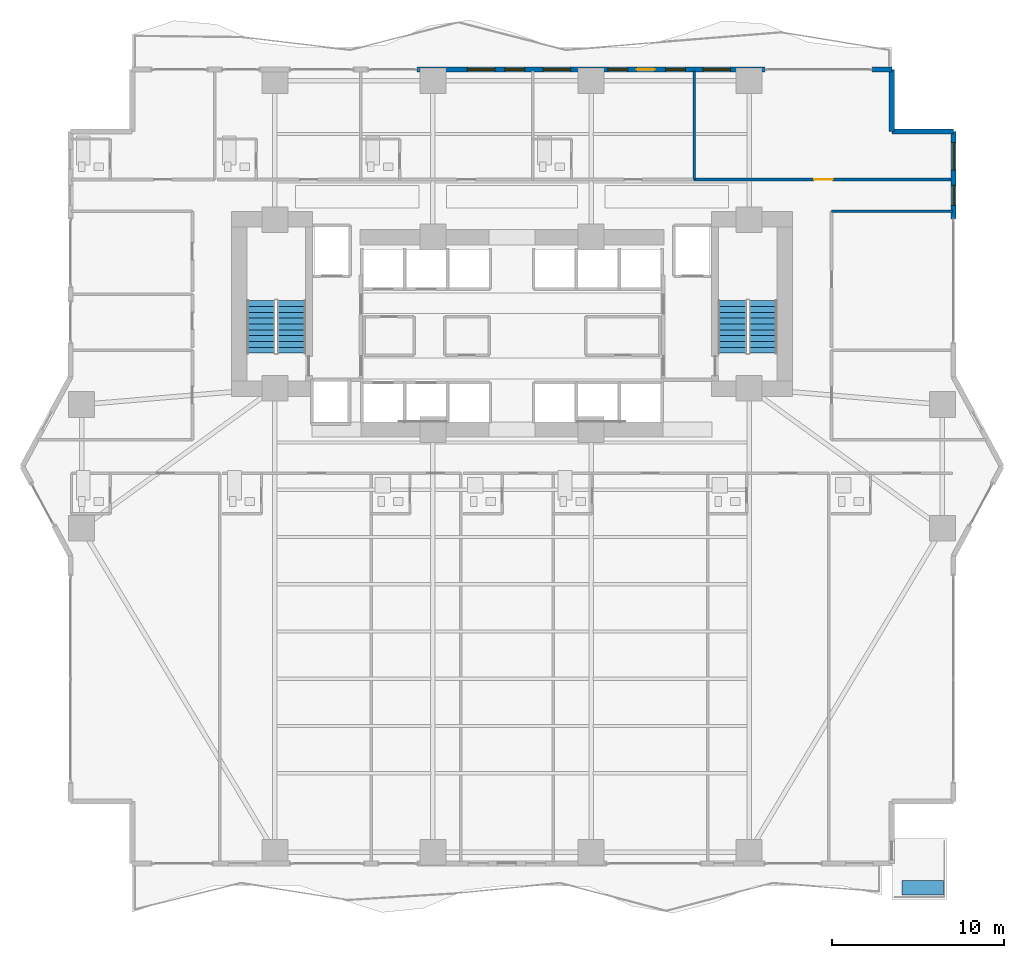
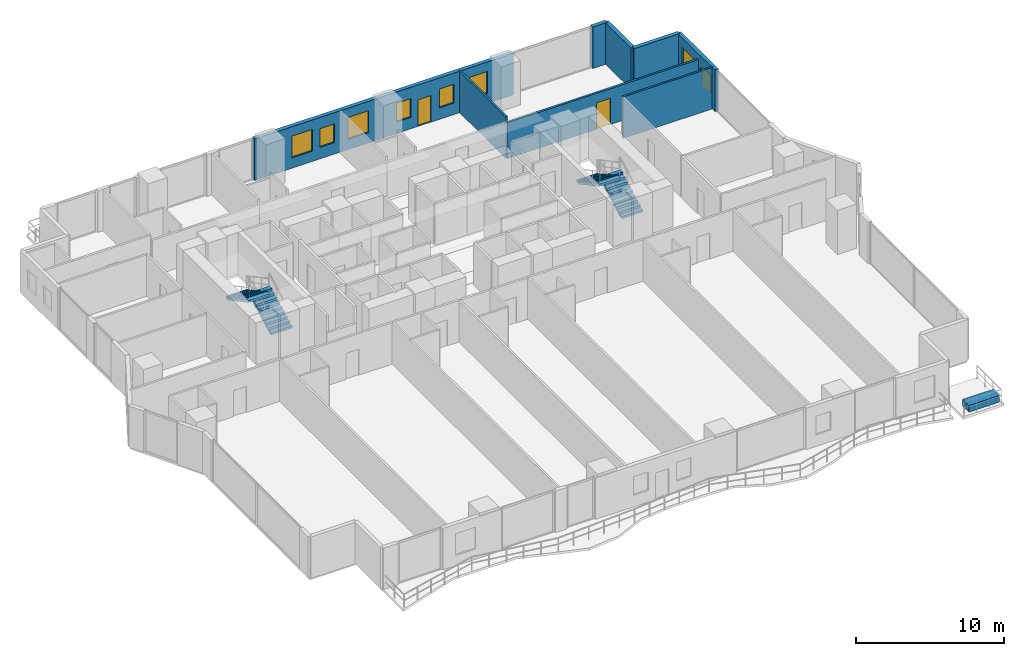
# One storey, part 22 of 29: 8 walls, 8 windows, 4 stair flights, 2 doors, 1 building element part, 10 openings, 2 elements without a shape of their own.
"""IFC4 building model written with IfcOpenShell, lengths in metres."""

from ifc_helpers import new_model, si_unit, direction, frame, frame_2d, origin, origin_2d, place, context, subcontext, project, spatial, polyline, rectangle, outline, extrude, material, layer, layer_set, type_object, element, fill, aggregate, save


model = new_model("IFC4")

# Units and contexts
model_context = context("Model", 3, precision=1e-05, world=origin(), true_north=direction((0.0, 1.0)))
body_context = subcontext(model_context, "Body", "Model", "MODEL_VIEW")
ifc_project = project(units=[si_unit("LENGTHUNIT", "METRE"), si_unit("AREAUNIT", "SQUARE_METRE"), si_unit("VOLUMEUNIT", "CUBIC_METRE"), si_unit("PLANEANGLEUNIT", "RADIAN"), si_unit("MASSUNIT", "GRAM", prefix="KILO")], contexts=[model_context])

# Site, building, storey
site_placement = place(None, origin())
site = spatial("IfcSite", under=ifc_project, at=site_placement, CompositionType="ELEMENT")
building_placement = place(site_placement, origin())
building = spatial("IfcBuilding", under=site, at=building_placement, Name="Zuhayl Quay Hotel", CompositionType="ELEMENT")
storey_placement = place(building_placement, frame((0.0, 0.0, 42.199951171875)))
storey = spatial("IfcBuildingStorey", under=building, at=storey_placement, Name="L09", CompositionType="ELEMENT", Elevation=42.199951171875)

# Wall, openings, door, windows
ifc_material_1 = material(Name="Precast concrete C45/55", Category="concrete")
ifc_layer_1 = layer(ifc_material_1, 0.300048828125, Name="Precast concrete C45/55", Category="concrete")
ifc_layer_set_1 = layer_set([ifc_layer_1], Name="Precast concrete C45/55")
wall_type_1 = type_object("IfcWallType", Name="WL_EXT_300", PredefinedType="STANDARD", material=ifc_layer_set_1)
wall_1_placement = place(storey_placement, frame((-5.52001953125, 23.10009765625, 0.0), z_axis=(0.0, 0.0, 1.0), x_axis=(1.0, 0.0, 0.0)))
wall_1 = element("IfcWall", 1, at=wall_1_placement, inside=storey, type_object=wall_type_1, Name="L09 Exterior Precast Wall ENV_L09_N_EW5", PredefinedType="STANDARD", context=body_context, shape_type="SweptSolid", body=[
    extrude(rectangle(XDim=20.239990234375, YDim=0.300048828125, at=frame_2d((10.1201171875, 0.0))), origin(), (0.0, 0.0, 1.0), 3.429931640625),
])
opening_1_placement = place(wall_1_placement, frame((12.77490234375, 0.0, 0.0)))
opening_1 = element("IfcOpeningElement", 2, at=opening_1_placement, cuts=wall_1, Name="Opening DG1", PredefinedType="OPENING", context=body_context, shape_type="SweptSolid", body=[
    extrude(rectangle(XDim=1.050048828125, YDim=2.199951171875, at=frame_2d((0.52490234375, 1.10009765625))), frame((0.0, 0.159912109375, 0.0), z_axis=(0.0, -1.0, 0.0), x_axis=(1.0, 0.0, 0.0)), (0.0, 0.0, 1.0), 0.320068359375),
])
opening_2_placement = place(wall_1_placement, frame((2.919921875, 0.0, 0.85009765625)))
opening_2 = element("IfcOpeningElement", 3, at=opening_2_placement, cuts=wall_1, Name="Opening W01", PredefinedType="OPENING", context=body_context, shape_type="SweptSolid", body=[
    extrude(rectangle(XDim=1.60009765625, YDim=1.800048828125, at=frame_2d((0.800048828125, 0.89990234375))), frame((0.0, 0.159912109375, 0.0), z_axis=(0.0, -1.0, 0.0), x_axis=(1.0, 0.0, 0.0)), (0.0, 0.0, 1.0), 0.320068359375),
])
opening_3_placement = place(wall_1_placement, frame((5.110107421875, 0.0, 0.949951171875)))
opening_3 = element("IfcOpeningElement", 4, at=opening_3_placement, cuts=wall_1, Name="Opening W01N", PredefinedType="OPENING", context=body_context, shape_type="SweptSolid", body=[
    extrude(rectangle(XDim=1.14990234375, YDim=1.550048828125, at=frame_2d((0.574951171875, 0.77490234375))), frame((0.0, 0.159912109375, 0.0), z_axis=(0.0, -1.0, 0.0), x_axis=(1.0, 0.0, 0.0)), (0.0, 0.0, 1.0), 0.320068359375),
])
opening_4_placement = place(wall_1_placement, frame((7.330078125, 0.0, 0.85009765625)))
opening_4 = element("IfcOpeningElement", 5, at=opening_4_placement, cuts=wall_1, Name="Opening W01", PredefinedType="OPENING", context=body_context, shape_type="SweptSolid", body=[
    extrude(rectangle(XDim=1.60009765625, YDim=1.800048828125, at=frame_2d((0.800048828125, 0.89990234375))), frame((0.0, 0.159912109375, 0.0), z_axis=(0.0, -1.0, 0.0), x_axis=(1.0, 0.0, 0.0)), (0.0, 0.0, 1.0), 0.320068359375),
])
opening_5_placement = place(wall_1_placement, frame((11.097412109375, 0.0, 0.949951171875)))
opening_5 = element("IfcOpeningElement", 6, at=opening_5_placement, cuts=wall_1, Name="Opening W01N", PredefinedType="OPENING", context=body_context, shape_type="SweptSolid", body=[
    extrude(rectangle(XDim=1.14990234375, YDim=1.550048828125, at=frame_2d((0.574951171875, 0.77490234375))), frame((0.0, 0.159912109375, 0.0), z_axis=(0.0, -1.0, 0.0), x_axis=(1.0, 0.0, 0.0)), (0.0, 0.0, 1.0), 0.320068359375),
])
opening_6_placement = place(wall_1_placement, frame((14.46240234375, 0.0, 0.949951171875)))
opening_6 = element("IfcOpeningElement", 7, at=opening_6_placement, cuts=wall_1, Name="Opening W01N", PredefinedType="OPENING", context=body_context, shape_type="SweptSolid", body=[
    extrude(rectangle(XDim=1.14990234375, YDim=1.550048828125, at=frame_2d((0.574951171875, 0.77490234375))), frame((0.0, 0.159912109375, 0.0), z_axis=(0.0, -1.0, 0.0), x_axis=(1.0, 0.0, 0.0)), (0.0, 0.0, 1.0), 0.320068359375),
])
opening_7_placement = place(wall_1_placement, frame((16.6298828125, 0.0, 0.85009765625)))
opening_7 = element("IfcOpeningElement", 8, at=opening_7_placement, cuts=wall_1, Name="Opening W01", PredefinedType="OPENING", context=body_context, shape_type="SweptSolid", body=[
    extrude(rectangle(XDim=1.60009765625, YDim=1.800048828125, at=frame_2d((0.800048828125, 0.89990234375))), frame((0.0, 0.159912109375, 0.0), z_axis=(0.0, -1.0, 0.0), x_axis=(1.0, 0.0, 0.0)), (0.0, 0.0, 1.0), 0.320068359375),
])
ifc_material_2 = material(Name="Anodised Aluminium and Dark Solar Glass", Category="aluminium")
door_type_1 = type_object("IfcDoorType", Name="DR_EXT_TERR_1050", OperationType="NOTDEFINED", PredefinedType="DOOR", material=ifc_material_2)
door_1_placement = place(opening_1_placement, origin())
door_1 = element("IfcDoor", 9, at=door_1_placement, inside=storey, type_object=door_type_1, Name="L09 North Rippling Balcony Door", OperationType="SINGLE_SWING_LEFT", OverallHeight=2.199951171875, OverallWidth=1.050048828125, PredefinedType="DOOR", context=body_context, shape_type="SweptSolid", body=[
    extrude(rectangle(XDim=1.050048828125, YDim=2.199951171875, at=frame_2d((0.52490234375, 1.10009765625))), frame((0.0, 0.02490234375, 0.0), z_axis=(0.0, -1.0, 0.0), x_axis=(1.0, 0.0, 0.0)), (0.0, 0.0, 1.0), 0.050048828125),
])
fill(opening_1, door_1)
ifc_material_3 = material(Name="Dark Ceramic-Fritted Solar Glass", Category="glass")
window_type_1 = type_object("IfcWindowType", Name="WN_NOTCH_1350", PartitioningType="SINGLE_PANEL", PredefinedType="WINDOW", material=ifc_material_3)
window_1_placement = place(opening_3_placement, origin())
window_1 = element("IfcWindow", 10, at=window_1_placement, inside=storey, type_object=window_type_1, Name="L09 Operable Facade Window 5-1", OverallHeight=1.550048828125, OverallWidth=1.14990234375, PartitioningType="SINGLE_PANEL", PredefinedType="WINDOW", context=body_context, shape_type="SweptSolid", body=[
    extrude(rectangle(XDim=1.14990234375, YDim=1.550048828125, at=frame_2d((0.574951171875, 0.77490234375))), frame((0.0, 0.030029296875, 0.0), z_axis=(0.0, -1.0, 0.0), x_axis=(1.0, 0.0, 0.0)), (0.0, 0.0, 1.0), 0.06005859375),
])
fill(opening_3, window_1)
window_2_placement = place(opening_5_placement, origin())
window_2 = element("IfcWindow", 11, at=window_2_placement, inside=storey, type_object=window_type_1, Name="L09 Operable Facade Window 5-3", OverallHeight=1.550048828125, OverallWidth=1.14990234375, PartitioningType="SINGLE_PANEL", PredefinedType="WINDOW", context=body_context, shape_type="SweptSolid", body=[
    extrude(rectangle(XDim=1.14990234375, YDim=1.550048828125, at=frame_2d((0.574951171875, 0.77490234375))), frame((0.0, 0.030029296875, 0.0), z_axis=(0.0, -1.0, 0.0), x_axis=(1.0, 0.0, 0.0)), (0.0, 0.0, 1.0), 0.06005859375),
])
fill(opening_5, window_2)
window_3_placement = place(opening_6_placement, origin())
window_3 = element("IfcWindow", 12, at=window_3_placement, inside=storey, type_object=window_type_1, Name="L09 Operable Facade Window 5-4", OverallHeight=1.550048828125, OverallWidth=1.14990234375, PartitioningType="SINGLE_PANEL", PredefinedType="WINDOW", context=body_context, shape_type="SweptSolid", body=[
    extrude(rectangle(XDim=1.14990234375, YDim=1.550048828125, at=frame_2d((0.574951171875, 0.77490234375))), frame((0.0, 0.030029296875, 0.0), z_axis=(0.0, -1.0, 0.0), x_axis=(1.0, 0.0, 0.0)), (0.0, 0.0, 1.0), 0.06005859375),
])
fill(opening_6, window_3)
window_type_2 = type_object("IfcWindowType", Name="WN_OPERABLE_1600", PartitioningType="DOUBLE_PANEL_VERTICAL", PredefinedType="WINDOW", material=ifc_material_3)
window_4_placement = place(opening_2_placement, origin())
window_4 = element("IfcWindow", 13, at=window_4_placement, inside=storey, type_object=window_type_2, Name="L09 North Operable Casement Window", OverallHeight=1.800048828125, OverallWidth=1.60009765625, PartitioningType="SINGLE_PANEL", PredefinedType="WINDOW", context=body_context, shape_type="SweptSolid", body=[
    extrude(rectangle(XDim=1.60009765625, YDim=1.800048828125, at=frame_2d((0.800048828125, 0.89990234375))), frame((0.0, 0.030029296875, 0.0), z_axis=(0.0, -1.0, 0.0), x_axis=(1.0, 0.0, 0.0)), (0.0, 0.0, 1.0), 0.06005859375),
])
fill(opening_2, window_4)
window_5_placement = place(opening_4_placement, origin())
window_5 = element("IfcWindow", 14, at=window_5_placement, inside=storey, type_object=window_type_2, Name="L09 Operable Facade Window 5-2", OverallHeight=1.800048828125, OverallWidth=1.60009765625, PartitioningType="SINGLE_PANEL", PredefinedType="WINDOW", context=body_context, shape_type="SweptSolid", body=[
    extrude(rectangle(XDim=1.60009765625, YDim=1.800048828125, at=frame_2d((0.800048828125, 0.89990234375))), frame((0.0, 0.030029296875, 0.0), z_axis=(0.0, -1.0, 0.0), x_axis=(1.0, 0.0, 0.0)), (0.0, 0.0, 1.0), 0.06005859375),
])
fill(opening_4, window_5)
window_6_placement = place(opening_7_placement, origin())
window_6 = element("IfcWindow", 15, at=window_6_placement, inside=storey, type_object=window_type_2, Name="L09 Operable Facade Window 5-5", OverallHeight=1.800048828125, OverallWidth=1.60009765625, PartitioningType="SINGLE_PANEL", PredefinedType="WINDOW", context=body_context, shape_type="SweptSolid", body=[
    extrude(rectangle(XDim=1.60009765625, YDim=1.800048828125, at=frame_2d((0.800048828125, 0.89990234375))), frame((0.0, 0.030029296875, 0.0), z_axis=(0.0, -1.0, 0.0), x_axis=(1.0, 0.0, 0.0)), (0.0, 0.0, 1.0), 0.06005859375),
])
fill(opening_7, window_6)

# Walls
wall_2_placement = place(storey_placement, frame((20.949951171875, 23.10009765625, 0.0), z_axis=(0.0, 0.0, 1.0), x_axis=(1.0, 0.0, 0.0)))
element("IfcWall", 16, at=wall_2_placement, inside=storey, type_object=wall_type_1, Name="L09 Exterior Precast Wall ENV_L09_N_EW6", PredefinedType="STANDARD", context=body_context, shape_type="SweptSolid", body=[
    extrude(rectangle(XDim=1.150146484375, YDim=0.300048828125, at=frame_2d((0.5751953125, 0.0))), origin(), (0.0, 0.0, 1.0), 3.429931640625),
])
wall_3_placement = place(storey_placement, frame((22.10009765625, 23.10009765625, 0.0), z_axis=(0.0, 0.0, 1.0), x_axis=(0.0, -1.0, 0.0)))
element("IfcWall", 17, at=wall_3_placement, inside=storey, type_object=wall_type_1, Name="L09 Exterior Precast Wall ENV_L09_EW09", PredefinedType="STANDARD", context=body_context, shape_type="SweptSolid", body=[
    extrude(rectangle(XDim=3.60009765625, YDim=0.300048828125, at=frame_2d((1.800048828125, 0.0))), origin(), (0.0, 0.0, 1.0), 3.429931640625),
])
wall_4_placement = place(storey_placement, frame((22.10009765625, 19.5, 0.0), z_axis=(0.0, 0.0, 1.0), x_axis=(1.0, 0.0, 0.0)))
element("IfcWall", 18, at=wall_4_placement, inside=storey, type_object=wall_type_1, Name="L09 Exterior Precast Wall ENV_L09_EW10", PredefinedType="STANDARD", context=body_context, shape_type="SweptSolid", body=[
    extrude(rectangle(XDim=3.599853515625, YDim=0.300048828125, at=frame_2d((1.7998046875, 0.0))), origin(), (0.0, 0.0, 1.0), 3.429931640625),
])

# Wall, openings, windows
wall_5_placement = place(storey_placement, frame((25.699951171875, 19.5, 0.0), z_axis=(0.0, 0.0, 1.0), x_axis=(0.0, -1.0, 0.0)))
wall_5 = element("IfcWall", 19, at=wall_5_placement, inside=storey, type_object=wall_type_1, Name="L09 Exterior Precast Wall ENV_L09_E11_EW1", PredefinedType="STANDARD", context=body_context, shape_type="SweptSolid", body=[
    extrude(rectangle(XDim=5.10009765625, YDim=0.300048828125, at=frame_2d((2.550048828125, 0.0))), origin(), (0.0, 0.0, 1.0), 3.429931640625),
])
opening_8_placement = place(wall_5_placement, frame((0.659912109375, 0.0, 0.85009765625)))
opening_8 = element("IfcOpeningElement", 20, at=opening_8_placement, cuts=wall_5, Name="Opening W01", PredefinedType="OPENING", context=body_context, shape_type="SweptSolid", body=[
    extrude(rectangle(XDim=1.60009765625, YDim=1.800048828125, at=frame_2d((0.800048828125, 0.89990234375))), frame((0.0, 0.159912109375, 0.0), z_axis=(0.0, -1.0, 0.0), x_axis=(1.0, 0.0, 0.0)), (0.0, 0.0, 1.0), 0.320068359375),
])
opening_9_placement = place(wall_5_placement, frame((3.14990234375, 0.0, 0.949951171875)))
opening_9 = element("IfcOpeningElement", 21, at=opening_9_placement, cuts=wall_5, Name="Opening W01N", PredefinedType="OPENING", context=body_context, shape_type="SweptSolid", body=[
    extrude(rectangle(XDim=1.14990234375, YDim=1.550048828125, at=frame_2d((0.574951171875, 0.77490234375))), frame((0.0, 0.159912109375, 0.0), z_axis=(0.0, -1.0, 0.0), x_axis=(1.0, 0.0, 0.0)), (0.0, 0.0, 1.0), 0.320068359375),
])
window_7_placement = place(opening_9_placement, origin())
window_7 = element("IfcWindow", 22, at=window_7_placement, inside=storey, type_object=window_type_1, Name="L09 Operable Facade Window 1-2", OverallHeight=1.550048828125, OverallWidth=1.14990234375, PartitioningType="SINGLE_PANEL", PredefinedType="WINDOW", context=body_context, shape_type="SweptSolid", body=[
    extrude(rectangle(XDim=1.14990234375, YDim=1.550048828125, at=frame_2d((0.574951171875, 0.77490234375))), frame((0.0, 0.030029296875, 0.0), z_axis=(0.0, -1.0, 0.0), x_axis=(1.0, 0.0, 0.0)), (0.0, 0.0, 1.0), 0.06005859375),
])
fill(opening_9, window_7)
window_8_placement = place(opening_8_placement, origin())
window_8 = element("IfcWindow", 23, at=window_8_placement, inside=storey, type_object=window_type_2, Name="L09 Operable Facade Window 1-1", OverallHeight=1.800048828125, OverallWidth=1.60009765625, PartitioningType="SINGLE_PANEL", PredefinedType="WINDOW", context=body_context, shape_type="SweptSolid", body=[
    extrude(rectangle(XDim=1.60009765625, YDim=1.800048828125, at=frame_2d((0.800048828125, 0.89990234375))), frame((0.0, 0.030029296875, 0.0), z_axis=(0.0, -1.0, 0.0), x_axis=(1.0, 0.0, 0.0)), (0.0, 0.0, 1.0), 0.06005859375),
])
fill(opening_8, window_8)

# Walls
ifc_material_4 = material(Name="Acoustic Gypsum Partition STC-58")
ifc_layer_2 = layer(ifc_material_4, 0.14990234375, Name="Acoustic Gypsum Partition STC-58")
ifc_layer_set_2 = layer_set([ifc_layer_2], Name="Acoustic Gypsum Partition STC-58")
wall_type_2 = type_object("IfcWallType", Name="WL_PART_150", PredefinedType="PARTITIONING", material=ifc_layer_set_2)
wall_6_placement = place(storey_placement, frame((10.60009765625, 16.699951171875, 0.0), z_axis=(0.0, 0.0, 1.0), x_axis=(0.0, 1.0, 0.0)))
element("IfcWall", 24, at=wall_6_placement, inside=storey, type_object=wall_type_2, Name="L09 Partition IW_L09_NU03_E", PredefinedType="PARTITIONING", context=body_context, shape_type="SweptSolid", body=[
    extrude(rectangle(XDim=6.320068359375, YDim=0.14990234375, at=frame_2d((3.16015625, 0.0))), origin(), (0.0, 0.0, 1.0), 3.429931640625),
])
wall_7_placement = place(storey_placement, frame((18.60009765625, 14.85009765625, 0.0), z_axis=(0.0, 0.0, 1.0), x_axis=(1.0, 0.0, 0.0)))
element("IfcWall", 25, at=wall_7_placement, inside=storey, type_object=wall_type_2, Name="L09 Partition IW_L09_EFLK_2_N", PredefinedType="PARTITIONING", context=body_context, shape_type="SweptSolid", body=[
    extrude(rectangle(XDim=7.039794921875, YDim=0.14990234375, at=frame_2d((3.52001953125, 0.0))), origin(), (0.0, 0.0, 1.0), 3.429931640625),
])

# Wall, opening, door
ifc_layer_3 = layer(ifc_material_4, 0.159912109375, Name="Acoustic Gypsum Partition STC-58")
ifc_layer_set_3 = layer_set([ifc_layer_3], Name="Acoustic Gypsum Partition STC-58")
wall_type_3 = type_object("IfcWallType", Name="WL_PART_CORR_160", PredefinedType="PARTITIONING", material=ifc_layer_set_3)
wall_8_placement = place(storey_placement, frame((10.60009765625, 16.699951171875, 0.0), z_axis=(0.0, 0.0, 1.0), x_axis=(1.0, 0.0, 0.0)))
wall_8 = element("IfcWall", 26, at=wall_8_placement, inside=storey, type_object=wall_type_3, Name="L09 Partition IW_L09_NSAL_3_S", PredefinedType="PARTITIONING", context=body_context, shape_type="SweptSolid", body=[
    extrude(rectangle(XDim=15.039794921875, YDim=0.159912109375, at=frame_2d((7.52001953125, 0.0))), origin(), (0.0, 0.0, 1.0), 2.97314453125),
])
opening_10_placement = place(wall_8_placement, frame((6.97998046875, 0.0, 0.0)))
opening_10 = element("IfcOpeningElement", 27, at=opening_10_placement, cuts=wall_8, Name="Opening D05A", PredefinedType="OPENING", context=body_context, shape_type="SweptSolid", body=[
    extrude(rectangle(XDim=1.080078125, YDim=2.179931640625, at=frame_2d((0.5400390625, 1.08984375))), frame((0.0, 0.08984375, 0.0), z_axis=(0.0, -1.0, 0.0), x_axis=(1.0, 0.0, 0.0)), (0.0, 0.0, 1.0), 0.179931640625),
])
ifc_material_5 = material(Name="Solid Walnut Acoustic Fire Door")
door_type_2 = type_object("IfcDoorType", Name="DR_INT_1100", OperationType="NOTDEFINED", PredefinedType="DOOR", material=ifc_material_5)
door_2_placement = place(opening_10_placement, origin())
door_2 = element("IfcDoor", 28, at=door_2_placement, inside=storey, type_object=door_type_2, Name="L09 Quay Boardroom Door", OperationType="SINGLE_SWING_LEFT", OverallHeight=2.179931640625, OverallWidth=1.080078125, PredefinedType="DOOR", context=body_context, shape_type="SweptSolid", body=[
    extrude(rectangle(XDim=1.080078125, YDim=2.179931640625, at=frame_2d((0.5400390625, 1.08984375))), frame((0.0, 0.02490234375, 0.0), z_axis=(0.0, -1.0, 0.0), x_axis=(1.0, 0.0, 0.0)), (0.0, 0.0, 1.0), 0.050048828125),
])
fill(opening_10, door_2)

# Stair, stair flights
ifc_material_6 = material(Name="Concrete C45/55", Category="concrete")
stair_type = type_object("IfcStairType", Name="ST_DOGLEG_TOWER", PredefinedType="HALF_TURN_STAIR", material=ifc_material_6)
stair_1_placement = place(storey_placement, origin())
stair_1 = element("IfcStair", 29, at=stair_1_placement, inside=storey, type_object=stair_type, Name="L09 Smokeproof Exit Stair ST1", PredefinedType="HALF_TURN_STAIR")
ifc_layer_4 = layer(ifc_material_6, 0.159912109375, Name="Concrete C45/55", Category="concrete")
ifc_layer_set_4 = layer_set([ifc_layer_4], Name="Concrete C45/55")
stair_flight_type = type_object("IfcStairFlightType", Name="SF_CONC_164", PredefinedType="STRAIGHT", material=ifc_layer_set_4)
stair_flight_1_placement = place(storey_placement, frame((-12.820068359375, 6.590087890625, 0.0), z_axis=(0.0, 0.0, 1.0), x_axis=(0.0, 1.0, 0.0)))
stair_flight_1 = element("IfcStairFlight", 30, at=stair_flight_1_placement, type_object=stair_flight_type, Name="ST1 flight 1", NumberOfRisers=10, NumberOfTreads=9, PredefinedType="STRAIGHT", RiserHeight=0.1825, TreadLength=0.34, context=body_context, shape_type="SweptSolid", body=[
    extrude(outline(polyline([(0.0, 0.0), (0.0, 0.1826171875), (0.340087890625, 0.1826171875), (0.340087890625, 0.364990234375), (0.679931640625, 0.364990234375), (0.679931640625, 0.547607421875), (1.02001953125, 0.547607421875), (1.02001953125, 0.72998046875), (1.360107421875, 0.72998046875), (1.360107421875, 0.91259765625), (1.699951171875, 0.91259765625), (1.699951171875, 1.094970703125), (2.0400390625, 1.094970703125), (2.0400390625, 1.277587890625), (2.3798828125, 1.277587890625), (2.3798828125, 1.4599609375), (2.719970703125, 1.4599609375), (2.719970703125, 1.642578125), (3.06005859375, 1.642578125), (3.06005859375, 1.824951171875), (3.06005859375, 1.472412109375), (0.31689453125, 0.0), (0.0, 0.0)])), frame((0.0, 0.81982421875, 0.0), z_axis=(0.0, -1.0, 0.0), x_axis=(1.0, 0.0, 0.0)), (0.0, 0.0, 1.0), 1.639892578125),
])
stair_flight_2_placement = place(storey_placement, frame((-14.610107421875, 9.64990234375, 1.824951171875), z_axis=(0.0, 0.0, 1.0), x_axis=(0.0, -1.0, 0.0)))
stair_flight_2 = element("IfcStairFlight", 31, at=stair_flight_2_placement, type_object=stair_flight_type, Name="ST1 flight 2", NumberOfRisers=10, NumberOfTreads=9, PredefinedType="STRAIGHT", RiserHeight=0.1825, TreadLength=0.34, context=body_context, shape_type="SweptSolid", body=[
    extrude(outline(polyline([(0.0, 0.0), (0.0, 0.1826171875), (0.340087890625, 0.1826171875), (0.340087890625, 0.364990234375), (0.679931640625, 0.364990234375), (0.679931640625, 0.547607421875), (1.02001953125, 0.547607421875), (1.02001953125, 0.72998046875), (1.360107421875, 0.72998046875), (1.360107421875, 0.91259765625), (1.699951171875, 0.91259765625), (1.699951171875, 1.094970703125), (2.0400390625, 1.094970703125), (2.0400390625, 1.277587890625), (2.3798828125, 1.277587890625), (2.3798828125, 1.4599609375), (2.719970703125, 1.4599609375), (2.719970703125, 1.642578125), (3.06005859375, 1.642578125), (3.06005859375, 1.824951171875), (3.06005859375, 1.472412109375), (0.31689453125, 0.0), (0.0, 0.0)])), frame((0.0, 0.81982421875, 0.0), z_axis=(0.0, -1.0, 0.0), x_axis=(1.0, 0.0, 0.0)), (0.0, 0.0, 1.0), 1.639892578125),
])
aggregate(stair_1, [stair_flight_1, stair_flight_2])

stair_2_placement = place(storey_placement, origin())
stair_2 = element("IfcStair", 32, at=stair_2_placement, inside=storey, type_object=stair_type, Name="L09 Smokeproof Exit Stair ST2", PredefinedType="HALF_TURN_STAIR")
stair_flight_3_placement = place(storey_placement, frame((14.610107421875, 6.590087890625, 0.0), z_axis=(0.0, 0.0, 1.0), x_axis=(0.0, 1.0, 0.0)))
stair_flight_3 = element("IfcStairFlight", 33, at=stair_flight_3_placement, type_object=stair_flight_type, Name="ST2 flight 1", NumberOfRisers=10, NumberOfTreads=9, PredefinedType="STRAIGHT", RiserHeight=0.1825, TreadLength=0.34, context=body_context, shape_type="SweptSolid", body=[
    extrude(outline(polyline([(0.0, 0.0), (0.0, 0.1826171875), (0.340087890625, 0.1826171875), (0.340087890625, 0.364990234375), (0.679931640625, 0.364990234375), (0.679931640625, 0.547607421875), (1.02001953125, 0.547607421875), (1.02001953125, 0.72998046875), (1.360107421875, 0.72998046875), (1.360107421875, 0.91259765625), (1.699951171875, 0.91259765625), (1.699951171875, 1.094970703125), (2.0400390625, 1.094970703125), (2.0400390625, 1.277587890625), (2.3798828125, 1.277587890625), (2.3798828125, 1.4599609375), (2.719970703125, 1.4599609375), (2.719970703125, 1.642578125), (3.06005859375, 1.642578125), (3.06005859375, 1.824951171875), (3.06005859375, 1.472412109375), (0.31689453125, 0.0), (0.0, 0.0)])), frame((0.0, 0.81982421875, 0.0), z_axis=(0.0, -1.0, 0.0), x_axis=(1.0, 0.0, 0.0)), (0.0, 0.0, 1.0), 1.639892578125),
])
stair_flight_4_placement = place(storey_placement, frame((12.820068359375, 9.64990234375, 1.824951171875), z_axis=(0.0, 0.0, 1.0), x_axis=(0.0, -1.0, 0.0)))
stair_flight_4 = element("IfcStairFlight", 34, at=stair_flight_4_placement, type_object=stair_flight_type, Name="ST2 flight 2", NumberOfRisers=10, NumberOfTreads=9, PredefinedType="STRAIGHT", RiserHeight=0.1825, TreadLength=0.34, context=body_context, shape_type="SweptSolid", body=[
    extrude(outline(polyline([(0.0, 0.0), (0.0, 0.1826171875), (0.340087890625, 0.1826171875), (0.340087890625, 0.364990234375), (0.679931640625, 0.364990234375), (0.679931640625, 0.547607421875), (1.02001953125, 0.547607421875), (1.02001953125, 0.72998046875), (1.360107421875, 0.72998046875), (1.360107421875, 0.91259765625), (1.699951171875, 0.91259765625), (1.699951171875, 1.094970703125), (2.0400390625, 1.094970703125), (2.0400390625, 1.277587890625), (2.3798828125, 1.277587890625), (2.3798828125, 1.4599609375), (2.719970703125, 1.4599609375), (2.719970703125, 1.642578125), (3.06005859375, 1.642578125), (3.06005859375, 1.824951171875), (3.06005859375, 1.472412109375), (0.31689453125, 0.0), (0.0, 0.0)])), frame((0.0, 0.81982421875, 0.0), z_axis=(0.0, -1.0, 0.0), x_axis=(1.0, 0.0, 0.0)), (0.0, 0.0, 1.0), 1.639892578125),
])
aggregate(stair_2, [stair_flight_3, stair_flight_4])

# Building element part
ifc_layer_5 = layer(ifc_material_1, 0.550048828125, Name="Precast concrete C45/55", Category="concrete")
ifc_layer_set_5 = layer_set([ifc_layer_5], Name="Precast concrete C45/55")
building_element_part_type = type_object("IfcBuildingElementPartType", Name="PT_PLANTER_KERB", PredefinedType="PRECASTPANEL", material=ifc_layer_set_5)
building_element_part_placement = place(storey_placement, frame((23.909912109375, -24.510009765625, 0.0), z_axis=(0.0, 0.0, 1.0), x_axis=(1.0, 0.0, 0.0)))
element("IfcBuildingElementPart", 35, at=building_element_part_placement, inside=storey, type_object=building_element_part_type, Name="L09 Spiral Sky-Terrace Planter Box SE", PredefinedType="PRECASTPANEL", context=body_context, shape_type="SweptSolid", body=[
    extrude(rectangle(XDim=2.39990234375, YDim=0.85009765625, at=origin_2d()), origin(), (0.0, 0.0, 1.0), 0.550048828125),
])

save(model, "model.ifc")
